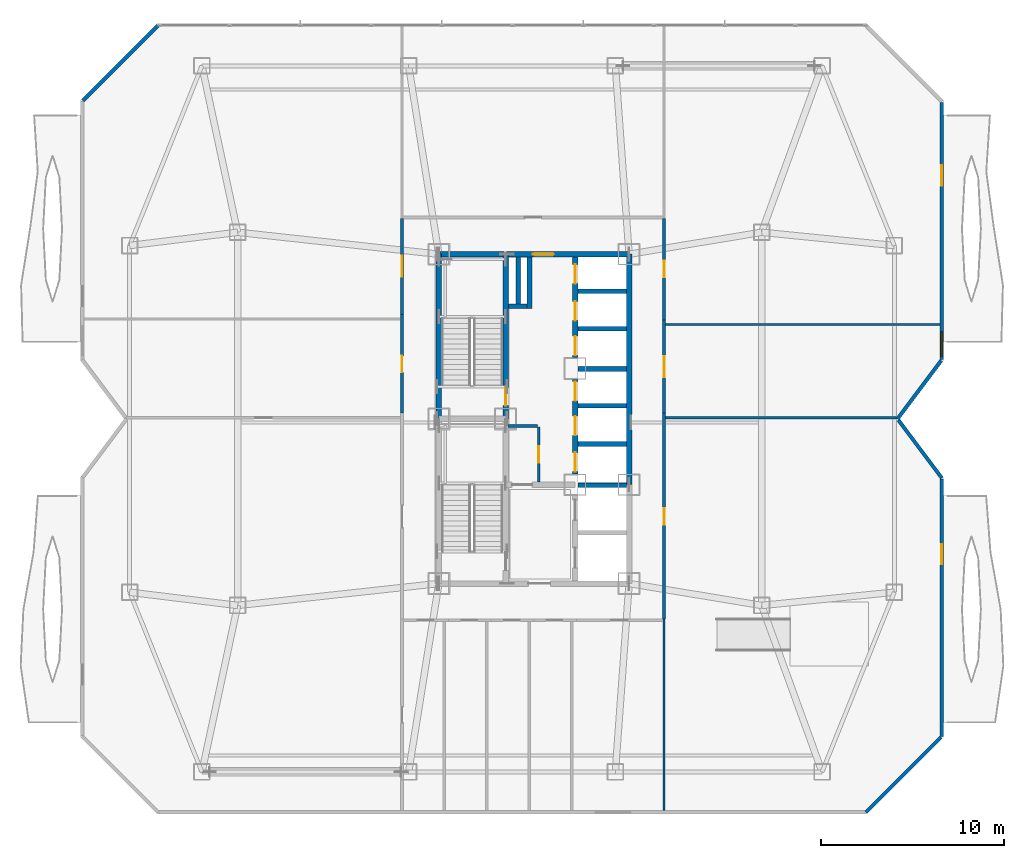
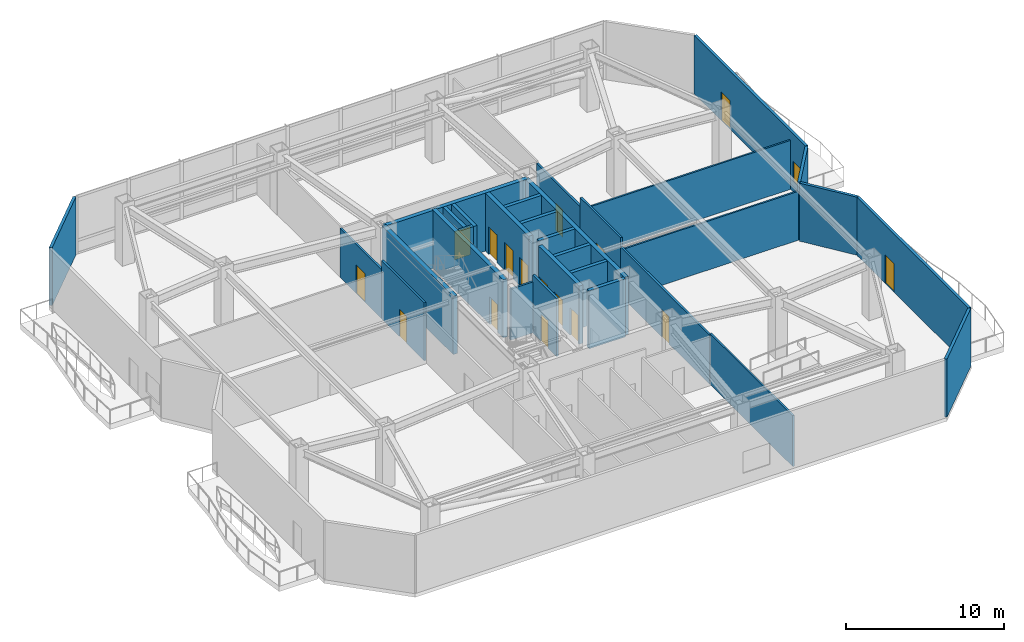
# One storey, part 11 of 16: 31 walls, 16 doors, 1 window, 17 openings.
"""IFC4 building model written with IfcOpenShell, lengths in metres."""

from ifc_helpers import new_model, si_unit, direction, frame, frame_2d, origin, place, context, subcontext, project, spatial, rectangle, extrude, material, layer, layer_set, type_object, element, fill, save


model = new_model("IFC4")

# Units and contexts
model_context = context("Model", 3, precision=1e-05, world=origin(), true_north=direction((0.0, 1.0)))
body_context = subcontext(model_context, "Body", "Model", "MODEL_VIEW")
ifc_project = project(units=[si_unit("LENGTHUNIT", "METRE"), si_unit("AREAUNIT", "SQUARE_METRE"), si_unit("VOLUMEUNIT", "CUBIC_METRE"), si_unit("PLANEANGLEUNIT", "RADIAN"), si_unit("MASSUNIT", "GRAM", prefix="KILO")], contexts=[model_context])

# Site, building, storey
site_placement = place(None, origin())
site = spatial("IfcSite", under=ifc_project, at=site_placement, CompositionType="ELEMENT")
building_placement = place(site_placement, origin())
building = spatial("IfcBuilding", under=site, at=building_placement, Name="Khamvora Tower", CompositionType="ELEMENT")
storey_placement = place(building_placement, frame((0.0, 0.0, 145.699951171875)))
storey = spatial("IfcBuildingStorey", under=building, at=storey_placement, Name="L37", CompositionType="ELEMENT", Elevation=145.699951171875)

# Wall
ifc_material_1 = material(Name="Concrete C50/60", Category="concrete")
ifc_layer_1 = layer(ifc_material_1, 0.300048828125)
ifc_layer_set_1 = layer_set([ifc_layer_1], Name="Concrete C50/60")
wall_type_1 = type_object("IfcWallType", Name="WAL-CORE-300", PredefinedType="SHEAR", material=ifc_layer_set_1)
wall_1_placement = place(storey_placement, frame((29.0, 28.0, 0.0), z_axis=(0.0, 0.0, 1.0), x_axis=(0.0, 1.0, 0.0)))
element("IfcWall", 1, at=wall_1_placement, inside=storey, type_object=wall_type_1, Name="L37 central core west north wall", PredefinedType="SHEAR", context=body_context, shape_type="SweptSolid", body=[
    extrude(rectangle(XDim=9.0, YDim=0.300048828125, at=frame_2d((4.5, 0.0))), origin(), (0.0, 0.0, 1.0), 4.47998046875),
])

# Wall, opening, door
wall_2_placement = place(storey_placement, frame((29.0, 37.0, 0.0), z_axis=(0.0, 0.0, 1.0), x_axis=(1.0, 0.0, 0.0)))
wall_2 = element("IfcWall", 2, at=wall_2_placement, inside=storey, type_object=wall_type_1, Name="L37 central core north wall", PredefinedType="SHEAR", context=body_context, shape_type="SweptSolid", body=[
    extrude(rectangle(XDim=10.39990234375, YDim=0.300048828125, at=frame_2d((5.199951171875, 0.0))), origin(), (0.0, 0.0, 1.0), 4.47998046875),
])
opening_1_placement = place(wall_2_placement, frame((5.139892578125, 0.0, 0.0)))
opening_1 = element("IfcOpeningElement", 3, at=opening_1_placement, cuts=wall_2, Name="Opening D-SC1", PredefinedType="OPENING", context=body_context, shape_type="SweptSolid", body=[
    extrude(rectangle(XDim=1.14990234375, YDim=2.199951171875, at=frame_2d((0.574951171875, 1.10009765625))), frame((0.0, 0.159912109375, 0.0), z_axis=(0.0, -1.0, 0.0), x_axis=(1.0, 0.0, 0.0)), (0.0, 0.0, 1.0), 0.320068359375),
])
ifc_material_2 = material(Name="Powder-Coated Steel and Hardwood Leaf", Category="steel")
door_type_1 = type_object("IfcDoorType", Name="DOR-SCHL-1150", OperationType="NOTDEFINED", PredefinedType="DOOR", material=ifc_material_2)
door_1_placement = place(opening_1_placement, origin())
door_1 = element("IfcDoor", 4, at=door_1_placement, inside=storey, type_object=door_type_1, Name="L37 north core lobby to corridor fire door", OperationType="SINGLE_SWING_LEFT", OverallHeight=2.199951171875, OverallWidth=1.14990234375, PredefinedType="DOOR", context=body_context, shape_type="SweptSolid", body=[
    extrude(rectangle(XDim=1.14990234375, YDim=2.199951171875, at=frame_2d((0.574951171875, 1.10009765625))), frame((0.0, 0.02490234375, 0.0), z_axis=(0.0, -1.0, 0.0), x_axis=(1.0, 0.0, 0.0)), (0.0, 0.0, 1.0), 0.050048828125),
])
fill(opening_1, door_1)

# Wall
wall_3_placement = place(storey_placement, frame((39.39990234375, 24.39990234375, 0.0), z_axis=(0.0, 0.0, 1.0), x_axis=(0.0, 1.0, 0.0)))
element("IfcWall", 5, at=wall_3_placement, inside=storey, type_object=wall_type_1, Name="L37 central core east north wall", PredefinedType="SHEAR", context=body_context, shape_type="SweptSolid", body=[
    extrude(rectangle(XDim=12.60009765625, YDim=0.300048828125, at=frame_2d((6.300048828125, 0.0))), origin(), (0.0, 0.0, 1.0), 4.47998046875),
])

# Wall, opening, door
wall_4_placement = place(storey_placement, frame((32.64990234375, 28.0, 0.0), z_axis=(0.0, 0.0, 1.0), x_axis=(0.0, 1.0, 0.0)))
wall_4 = element("IfcWall", 6, at=wall_4_placement, inside=storey, type_object=wall_type_1, Name="L37 central core stair north spine wall", PredefinedType="SHEAR", context=body_context, shape_type="SweptSolid", body=[
    extrude(rectangle(XDim=9.0, YDim=0.300048828125, at=frame_2d((4.5, 0.0))), origin(), (0.0, 0.0, 1.0), 4.47998046875),
])
opening_2_placement = place(wall_4_placement, frame((0.719970703125, 0.0, 0.0)))
opening_2 = element("IfcOpeningElement", 7, at=opening_2_placement, cuts=wall_4, Name="Opening D-ST1", PredefinedType="OPENING", context=body_context, shape_type="SweptSolid", body=[
    extrude(rectangle(XDim=1.0, YDim=2.14990234375, at=frame_2d((0.5, 1.074951171875))), frame((0.0, 0.159912109375, 0.0), z_axis=(0.0, -1.0, 0.0), x_axis=(1.0, 0.0, 0.0)), (0.0, 0.0, 1.0), 0.320068359375),
])
door_type_2 = type_object("IfcDoorType", Name="DOR-STAIR-1000", OperationType="NOTDEFINED", PredefinedType="DOOR", material=ifc_material_2)
door_2_placement = place(opening_2_placement, origin())
door_2 = element("IfcDoor", 8, at=door_2_placement, inside=storey, type_object=door_type_2, Name="L37 exit stair ST-02 fire door", OperationType="SINGLE_SWING_RIGHT", OverallHeight=2.14990234375, OverallWidth=1.0, PredefinedType="DOOR", context=body_context, shape_type="SweptSolid", body=[
    extrude(rectangle(XDim=1.0, YDim=2.14990234375, at=frame_2d((0.5, 1.074951171875))), frame((0.0, 0.02490234375, 0.0), z_axis=(0.0, -1.0, 0.0), x_axis=(1.0, 0.0, 0.0)), (0.0, 0.0, 1.0), 0.050048828125),
])
fill(opening_2, door_2)

# Wall, openings, doors
wall_5_placement = place(storey_placement, frame((36.449951171875, 25.0, 0.0), z_axis=(0.0, 0.0, 1.0), x_axis=(0.0, 1.0, 0.0)))
wall_5 = element("IfcWall", 9, at=wall_5_placement, inside=storey, type_object=wall_type_1, Name="L37 central core lift bank central wall", PredefinedType="SHEAR", context=body_context, shape_type="SweptSolid", body=[
    extrude(rectangle(XDim=5.14990234375, YDim=0.300048828125, at=frame_2d((2.574951171875, 0.0))), origin(), (0.0, 0.0, 1.0), 4.47998046875),
])
opening_3_placement = place(wall_5_placement, frame((0.1201171875, 0.0, 0.0)))
opening_3 = element("IfcOpeningElement", 10, at=opening_3_placement, cuts=wall_5, Name="Opening LD-PL", PredefinedType="OPENING", context=body_context, shape_type="SweptSolid", body=[
    extrude(rectangle(XDim=1.050048828125, YDim=2.14990234375, at=frame_2d((0.52490234375, 1.074951171875))), frame((0.0, 0.159912109375, 0.0), z_axis=(0.0, -1.0, 0.0), x_axis=(1.0, 0.0, 0.0)), (0.0, 0.0, 1.0), 0.320068359375),
])
opening_4_placement = place(wall_5_placement, frame((2.094970703125, 0.0, 0.0)))
opening_4 = element("IfcOpeningElement", 11, at=opening_4_placement, cuts=wall_5, Name="Opening LD-PL", PredefinedType="OPENING", context=body_context, shape_type="SweptSolid", body=[
    extrude(rectangle(XDim=1.050048828125, YDim=2.14990234375, at=frame_2d((0.52490234375, 1.074951171875))), frame((0.0, 0.159912109375, 0.0), z_axis=(0.0, -1.0, 0.0), x_axis=(1.0, 0.0, 0.0)), (0.0, 0.0, 1.0), 0.320068359375),
])
opening_5_placement = place(wall_5_placement, frame((3.97998046875, 0.0, 0.0)))
opening_5 = element("IfcOpeningElement", 12, at=opening_5_placement, cuts=wall_5, Name="Opening LD-PL", PredefinedType="OPENING", context=body_context, shape_type="SweptSolid", body=[
    extrude(rectangle(XDim=1.050048828125, YDim=2.14990234375, at=frame_2d((0.52490234375, 1.074951171875))), frame((0.0, 0.159912109375, 0.0), z_axis=(0.0, -1.0, 0.0), x_axis=(1.0, 0.0, 0.0)), (0.0, 0.0, 1.0), 0.320068359375),
])
door_type_3 = type_object("IfcDoorType", Name="DOR-LIFT-1050", OperationType="SLIDING_TO_LEFT", PredefinedType="DOOR", material=ifc_material_2)
door_3_placement = place(opening_3_placement, origin())
door_3 = element("IfcDoor", 13, at=door_3_placement, inside=storey, type_object=door_type_3, Name="L37 lift landing sliding door PL-01", OperationType="SLIDING_TO_LEFT", OverallHeight=2.14990234375, OverallWidth=1.050048828125, PredefinedType="DOOR", context=body_context, shape_type="SweptSolid", body=[
    extrude(rectangle(XDim=1.050048828125, YDim=2.14990234375, at=frame_2d((0.52490234375, 1.074951171875))), frame((0.0, 0.02490234375, 0.0), z_axis=(0.0, -1.0, 0.0), x_axis=(1.0, 0.0, 0.0)), (0.0, 0.0, 1.0), 0.050048828125),
])
fill(opening_3, door_3)
door_4_placement = place(opening_4_placement, origin())
door_4 = element("IfcDoor", 14, at=door_4_placement, inside=storey, type_object=door_type_3, Name="L37 lift landing sliding door PL-02", OperationType="SLIDING_TO_LEFT", OverallHeight=2.14990234375, OverallWidth=1.050048828125, PredefinedType="DOOR", context=body_context, shape_type="SweptSolid", body=[
    extrude(rectangle(XDim=1.050048828125, YDim=2.14990234375, at=frame_2d((0.52490234375, 1.074951171875))), frame((0.0, 0.02490234375, 0.0), z_axis=(0.0, -1.0, 0.0), x_axis=(1.0, 0.0, 0.0)), (0.0, 0.0, 1.0), 0.050048828125),
])
fill(opening_4, door_4)
door_5_placement = place(opening_5_placement, origin())
door_5 = element("IfcDoor", 15, at=door_5_placement, inside=storey, type_object=door_type_3, Name="L37 lift landing sliding door PL-03", OperationType="SLIDING_TO_LEFT", OverallHeight=2.14990234375, OverallWidth=1.050048828125, PredefinedType="DOOR", context=body_context, shape_type="SweptSolid", body=[
    extrude(rectangle(XDim=1.050048828125, YDim=2.14990234375, at=frame_2d((0.52490234375, 1.074951171875))), frame((0.0, 0.02490234375, 0.0), z_axis=(0.0, -1.0, 0.0), x_axis=(1.0, 0.0, 0.0)), (0.0, 0.0, 1.0), 0.050048828125),
])
fill(opening_5, door_5)

wall_6_placement = place(storey_placement, frame((36.449951171875, 31.35009765625, 0.0), z_axis=(0.0, 0.0, 1.0), x_axis=(0.0, 1.0, 0.0)))
wall_6 = element("IfcWall", 16, at=wall_6_placement, inside=storey, type_object=wall_type_1, Name="L37 central core lift bank north wall", PredefinedType="SHEAR", context=body_context, shape_type="SweptSolid", body=[
    extrude(rectangle(XDim=5.495849609375, YDim=0.300048828125, at=frame_2d((2.748046875, 0.0))), origin(), (0.0, 0.0, 1.0), 4.47998046875),
])
opening_6_placement = place(wall_6_placement, frame((0.1201171875, 0.0, 0.0)))
opening_6 = element("IfcOpeningElement", 17, at=opening_6_placement, cuts=wall_6, Name="Opening LD-PL", PredefinedType="OPENING", context=body_context, shape_type="SweptSolid", body=[
    extrude(rectangle(XDim=1.050048828125, YDim=2.14990234375, at=frame_2d((0.52490234375, 1.074951171875))), frame((0.0, 0.159912109375, 0.0), z_axis=(0.0, -1.0, 0.0), x_axis=(1.0, 0.0, 0.0)), (0.0, 0.0, 1.0), 0.320068359375),
])
opening_7_placement = place(wall_6_placement, frame((2.02490234375, 0.0, 0.0)))
opening_7 = element("IfcOpeningElement", 18, at=opening_7_placement, cuts=wall_6, Name="Opening LD-PL", PredefinedType="OPENING", context=body_context, shape_type="SweptSolid", body=[
    extrude(rectangle(XDim=1.050048828125, YDim=2.14990234375, at=frame_2d((0.52490234375, 1.074951171875))), frame((0.0, 0.159912109375, 0.0), z_axis=(0.0, -1.0, 0.0), x_axis=(1.0, 0.0, 0.0)), (0.0, 0.0, 1.0), 0.320068359375),
])
opening_8_placement = place(wall_6_placement, frame((4.044921875, 0.0, 0.0)))
opening_8 = element("IfcOpeningElement", 19, at=opening_8_placement, cuts=wall_6, Name="Opening LD-PL", PredefinedType="OPENING", context=body_context, shape_type="SweptSolid", body=[
    extrude(rectangle(XDim=1.050048828125, YDim=2.14990234375, at=frame_2d((0.52490234375, 1.074951171875))), frame((0.0, 0.159912109375, 0.0), z_axis=(0.0, -1.0, 0.0), x_axis=(1.0, 0.0, 0.0)), (0.0, 0.0, 1.0), 0.320068359375),
])
door_6_placement = place(opening_6_placement, origin())
door_6 = element("IfcDoor", 20, at=door_6_placement, inside=storey, type_object=door_type_3, Name="L37 lift landing sliding door PH-01", OperationType="SLIDING_TO_LEFT", OverallHeight=2.14990234375, OverallWidth=1.050048828125, PredefinedType="DOOR", context=body_context, shape_type="SweptSolid", body=[
    extrude(rectangle(XDim=1.050048828125, YDim=2.14990234375, at=frame_2d((0.52490234375, 1.074951171875))), frame((0.0, 0.02490234375, 0.0), z_axis=(0.0, -1.0, 0.0), x_axis=(1.0, 0.0, 0.0)), (0.0, 0.0, 1.0), 0.050048828125),
])
fill(opening_6, door_6)
door_7_placement = place(opening_7_placement, origin())
door_7 = element("IfcDoor", 21, at=door_7_placement, inside=storey, type_object=door_type_3, Name="L37 lift landing sliding door PH-02", OperationType="SLIDING_TO_LEFT", OverallHeight=2.14990234375, OverallWidth=1.050048828125, PredefinedType="DOOR", context=body_context, shape_type="SweptSolid", body=[
    extrude(rectangle(XDim=1.050048828125, YDim=2.14990234375, at=frame_2d((0.52490234375, 1.074951171875))), frame((0.0, 0.02490234375, 0.0), z_axis=(0.0, -1.0, 0.0), x_axis=(1.0, 0.0, 0.0)), (0.0, 0.0, 1.0), 0.050048828125),
])
fill(opening_7, door_7)
door_8_placement = place(opening_8_placement, origin())
door_8 = element("IfcDoor", 22, at=door_8_placement, inside=storey, type_object=door_type_3, Name="L37 lift landing sliding door PH-03", OperationType="SLIDING_TO_LEFT", OverallHeight=2.14990234375, OverallWidth=1.050048828125, PredefinedType="DOOR", context=body_context, shape_type="SweptSolid", body=[
    extrude(rectangle(XDim=1.050048828125, YDim=2.14990234375, at=frame_2d((0.52490234375, 1.074951171875))), frame((0.0, 0.02490234375, 0.0), z_axis=(0.0, -1.0, 0.0), x_axis=(1.0, 0.0, 0.0)), (0.0, 0.0, 1.0), 0.050048828125),
])
fill(opening_8, door_8)

# Wall
ifc_material_3 = material(Name="Fire-Rated Drywall and Steel Stud", Category="steel")
ifc_layer_2 = layer(ifc_material_3, 0.14990234375)
ifc_layer_set_2 = layer_set([ifc_layer_2], Name="Fire-Rated Drywall and Steel Stud")
wall_type_2 = type_object("IfcWallType", Name="WAL-CORR-150", PredefinedType="STANDARD", material=ifc_layer_set_2)
wall_7_placement = place(storey_placement, frame((32.7939453125, 27.614990234375, 0.0), z_axis=(0.0, 0.0, 1.0), x_axis=(1.0, 0.0, 0.0)))
element("IfcWall", 23, at=wall_7_placement, inside=storey, type_object=wall_type_2, Name="L37 interior partition wall 001", PredefinedType="STANDARD", context=body_context, shape_type="SweptSolid", body=[
    extrude(rectangle(XDim=1.60595703125, YDim=0.14990234375, at=frame_2d((0.802978515625, 0.0))), origin(), (0.0, 0.0, 1.0), 3.93701171875),
])

# Wall, opening, door
wall_8_placement = place(storey_placement, frame((34.465087890625, 27.550048828125, 0.0), z_axis=(0.0, 0.0, 1.0), x_axis=(0.0, -1.0, 0.0)))
wall_8 = element("IfcWall", 24, at=wall_8_placement, inside=storey, type_object=wall_type_2, Name="L37 interior partition wall 002", PredefinedType="STANDARD", context=body_context, shape_type="SweptSolid", body=[
    extrude(rectangle(XDim=3.006103515625, YDim=0.14990234375, at=frame_2d((1.5029296875, 0.0))), origin(), (0.0, 0.0, 1.0), 4.47998046875),
])
opening_9_placement = place(wall_8_placement, frame((1.052978515625, 0.0, 0.0)))
opening_9 = element("IfcOpeningElement", 25, at=opening_9_placement, cuts=wall_8, Name="Opening D-RM1", PredefinedType="OPENING", context=body_context, shape_type="SweptSolid", body=[
    extrude(rectangle(XDim=0.89990234375, YDim=2.10009765625, at=frame_2d((0.449951171875, 1.050048828125))), frame((0.0, 0.0849609375, 0.0), z_axis=(0.0, -1.0, 0.0), x_axis=(1.0, 0.0, 0.0)), (0.0, 0.0, 1.0), 0.169921875),
])
door_type_4 = type_object("IfcDoorType", Name="DOR-ROOM-900", OperationType="NOTDEFINED", PredefinedType="DOOR", material=ifc_material_2)
door_9_placement = place(opening_9_placement, origin())
door_9 = element("IfcDoor", 26, at=door_9_placement, inside=storey, type_object=door_type_4, Name="L37 interior door CS1-PLL", OperationType="SINGLE_SWING_RIGHT", OverallHeight=2.10009765625, OverallWidth=0.89990234375, PredefinedType="DOOR", context=body_context, shape_type="SweptSolid", body=[
    extrude(rectangle(XDim=0.89990234375, YDim=2.10009765625, at=frame_2d((0.449951171875, 1.050048828125))), frame((0.0, 0.02490234375, 0.0), z_axis=(0.0, -1.0, 0.0), x_axis=(1.0, 0.0, 0.0)), (0.0, 0.0, 1.0), 0.050048828125),
])
fill(opening_9, door_9)

wall_9_placement = place(storey_placement, frame((41.31494140625, 28.31396484375, 0.0), z_axis=(0.0, 0.0, 1.0), x_axis=(0.0, -1.0, 0.0)))
wall_9 = element("IfcWall", 27, at=wall_9_placement, inside=storey, type_object=wall_type_2, Name="L37 interior partition wall 003", PredefinedType="STANDARD", context=body_context, shape_type="SweptSolid", body=[
    extrude(rectangle(XDim=11.263916015625, YDim=0.14990234375, at=frame_2d((5.6318359375, 0.0))), origin(), (0.0, 0.0, 1.0), 3.775146484375),
])
opening_10_placement = place(wall_9_placement, frame((5.202880859375, 0.0, 0.0)))
opening_10 = element("IfcOpeningElement", 28, at=opening_10_placement, cuts=wall_9, Name="Opening D-RM1", PredefinedType="OPENING", context=body_context, shape_type="SweptSolid", body=[
    extrude(rectangle(XDim=0.89990234375, YDim=2.10009765625, at=frame_2d((0.449951171875, 1.050048828125))), frame((0.0, 0.0849609375, 0.0), z_axis=(0.0, -1.0, 0.0), x_axis=(1.0, 0.0, 0.0)), (0.0, 0.0, 1.0), 0.169921875),
])
door_10_placement = place(opening_10_placement, origin())
door_10 = element("IfcDoor", 29, at=door_10_placement, inside=storey, type_object=door_type_4, Name="L37 interior door ACOR-BOTL", OperationType="SINGLE_SWING_LEFT", OverallHeight=2.10009765625, OverallWidth=0.89990234375, PredefinedType="DOOR", context=body_context, shape_type="SweptSolid", body=[
    extrude(rectangle(XDim=0.89990234375, YDim=2.10009765625, at=frame_2d((0.449951171875, 1.050048828125))), frame((0.0, 0.02490234375, 0.0), z_axis=(0.0, -1.0, 0.0), x_axis=(1.0, 0.0, 0.0)), (0.0, 0.0, 1.0), 0.050048828125),
])
fill(opening_10, door_10)

wall_10_placement = place(storey_placement, frame((26.985107421875, 28.31396484375, 0.0), z_axis=(0.0, 0.0, 1.0), x_axis=(0.0, 1.0, 0.0)))
wall_10 = element("IfcWall", 30, at=wall_10_placement, inside=storey, type_object=wall_type_2, Name="L37 interior partition wall 005", PredefinedType="STANDARD", context=body_context, shape_type="SweptSolid", body=[
    extrude(rectangle(XDim=5.400146484375, YDim=0.14990234375, at=frame_2d((2.7001953125, 0.0))), origin(), (0.0, 0.0, 1.0), 4.47998046875),
])
opening_11_placement = place(wall_10_placement, frame((2.22900390625, 0.0, 0.0)))
opening_11 = element("IfcOpeningElement", 31, at=opening_11_placement, cuts=wall_10, Name="Opening D-RM1", PredefinedType="OPENING", context=body_context, shape_type="SweptSolid", body=[
    extrude(rectangle(XDim=0.89990234375, YDim=2.10009765625, at=frame_2d((0.449951171875, 1.050048828125))), frame((0.0, 0.0849609375, 0.0), z_axis=(0.0, -1.0, 0.0), x_axis=(1.0, 0.0, 0.0)), (0.0, 0.0, 1.0), 0.169921875),
])
door_11_placement = place(opening_11_placement, origin())
door_11 = element("IfcDoor", 32, at=door_11_placement, inside=storey, type_object=door_type_4, Name="L37 interior door ACOR-MEET", OperationType="SINGLE_SWING_LEFT", OverallHeight=2.10009765625, OverallWidth=0.89990234375, PredefinedType="DOOR", context=body_context, shape_type="SweptSolid", body=[
    extrude(rectangle(XDim=0.89990234375, YDim=2.10009765625, at=frame_2d((0.449951171875, 1.050048828125))), frame((0.0, 0.02490234375, 0.0), z_axis=(0.0, -1.0, 0.0), x_axis=(1.0, 0.0, 0.0)), (0.0, 0.0, 1.0), 0.050048828125),
])
fill(opening_11, door_11)

wall_11_placement = place(storey_placement, frame((26.985107421875, 33.714111328125, 0.0), z_axis=(0.0, 0.0, 1.0), x_axis=(0.0, 1.0, 0.0)))
wall_11 = element("IfcWall", 33, at=wall_11_placement, inside=storey, type_object=wall_type_2, Name="L37 interior partition wall 006", PredefinedType="STANDARD", context=body_context, shape_type="SweptSolid", body=[
    extrude(rectangle(XDim=5.23583984375, YDim=0.14990234375, at=frame_2d((2.617919921875, 0.0))), origin(), (0.0, 0.0, 1.0), 3.775146484375),
])
opening_12_placement = place(wall_11_placement, frame((2.04296875, 0.0, 0.0)))
opening_12 = element("IfcOpeningElement", 34, at=opening_12_placement, cuts=wall_11, Name="Opening D-SC1", PredefinedType="OPENING", context=body_context, shape_type="SweptSolid", body=[
    extrude(rectangle(XDim=1.14990234375, YDim=2.199951171875, at=frame_2d((0.574951171875, 1.10009765625))), frame((0.0, 0.0849609375, 0.0), z_axis=(0.0, -1.0, 0.0), x_axis=(1.0, 0.0, 0.0)), (0.0, 0.0, 1.0), 0.169921875),
])
door_12_placement = place(opening_12_placement, origin())
door_12 = element("IfcDoor", 35, at=door_12_placement, inside=storey, type_object=door_type_1, Name="L37 interior door ACOR-SLIB", OperationType="SINGLE_SWING_RIGHT", OverallHeight=2.199951171875, OverallWidth=1.14990234375, PredefinedType="DOOR", context=body_context, shape_type="SweptSolid", body=[
    extrude(rectangle(XDim=1.14990234375, YDim=2.199951171875, at=frame_2d((0.574951171875, 1.10009765625))), frame((0.0, 0.02490234375, 0.0), z_axis=(0.0, -1.0, 0.0), x_axis=(1.0, 0.0, 0.0)), (0.0, 0.0, 1.0), 0.050048828125),
])
fill(opening_12, door_12)

wall_12_placement = place(storey_placement, frame((41.31494140625, 33.4140625, 0.0), z_axis=(0.0, 0.0, 1.0), x_axis=(0.0, -1.0, 0.0)))
wall_12 = element("IfcWall", 36, at=wall_12_placement, inside=storey, type_object=wall_type_2, Name="L37 interior partition wall 007", PredefinedType="STANDARD", context=body_context, shape_type="SweptSolid", body=[
    extrude(rectangle(XDim=5.10009765625, YDim=0.14990234375, at=frame_2d((2.550048828125, 0.0))), origin(), (0.0, 0.0, 1.0), 4.47998046875),
])
opening_13_placement = place(wall_12_placement, frame((1.99609375, 0.0, 0.0)))
opening_13 = element("IfcOpeningElement", 37, at=opening_13_placement, cuts=wall_12, Name="Opening D-SC1", PredefinedType="OPENING", context=body_context, shape_type="SweptSolid", body=[
    extrude(rectangle(XDim=1.14990234375, YDim=2.199951171875, at=frame_2d((0.574951171875, 1.10009765625))), frame((0.0, 0.0849609375, 0.0), z_axis=(0.0, -1.0, 0.0), x_axis=(1.0, 0.0, 0.0)), (0.0, 0.0, 1.0), 0.169921875),
])
door_13_placement = place(opening_13_placement, origin())
door_13 = element("IfcDoor", 38, at=door_13_placement, inside=storey, type_object=door_type_1, Name="L37 interior door ACOR-CAFE", OperationType="SINGLE_SWING_LEFT", OverallHeight=2.199951171875, OverallWidth=1.14990234375, PredefinedType="DOOR", context=body_context, shape_type="SweptSolid", body=[
    extrude(rectangle(XDim=1.14990234375, YDim=2.199951171875, at=frame_2d((0.574951171875, 1.10009765625))), frame((0.0, 0.02490234375, 0.0), z_axis=(0.0, -1.0, 0.0), x_axis=(1.0, 0.0, 0.0)), (0.0, 0.0, 1.0), 0.050048828125),
])
fill(opening_13, door_13)

wall_13_placement = place(storey_placement, frame((41.31494140625, 38.949951171875, 0.0), z_axis=(0.0, 0.0, 1.0), x_axis=(0.0, -1.0, 0.0)))
wall_13 = element("IfcWall", 39, at=wall_13_placement, inside=storey, type_object=wall_type_2, Name="L37 interior partition wall 008", PredefinedType="STANDARD", context=body_context, shape_type="SweptSolid", body=[
    extrude(rectangle(XDim=5.535888671875, YDim=0.14990234375, at=frame_2d((2.76806640625, 0.0))), origin(), (0.0, 0.0, 1.0), 3.775146484375),
])
opening_14_placement = place(wall_13_placement, frame((2.318115234375, 0.0, 0.0)))
opening_14 = element("IfcOpeningElement", 40, at=opening_14_placement, cuts=wall_13, Name="Opening D-RM1", PredefinedType="OPENING", context=body_context, shape_type="SweptSolid", body=[
    extrude(rectangle(XDim=0.89990234375, YDim=2.10009765625, at=frame_2d((0.449951171875, 1.050048828125))), frame((0.0, 0.0849609375, 0.0), z_axis=(0.0, -1.0, 0.0), x_axis=(1.0, 0.0, 0.0)), (0.0, 0.0, 1.0), 0.169921875),
])
door_14_placement = place(opening_14_placement, origin())
door_14 = element("IfcDoor", 41, at=door_14_placement, inside=storey, type_object=door_type_4, Name="L37 interior door ACOR-BOTN", OperationType="SINGLE_SWING_RIGHT", OverallHeight=2.10009765625, OverallWidth=0.89990234375, PredefinedType="DOOR", context=body_context, shape_type="SweptSolid", body=[
    extrude(rectangle(XDim=0.89990234375, YDim=2.10009765625, at=frame_2d((0.449951171875, 1.050048828125))), frame((0.0, 0.02490234375, 0.0), z_axis=(0.0, -1.0, 0.0), x_axis=(1.0, 0.0, 0.0)), (0.0, 0.0, 1.0), 0.050048828125),
])
fill(opening_14, door_14)

# Wall
ifc_material_4 = material(Name="Precast concrete C40/50", Category="concrete")
ifc_layer_3 = layer(ifc_material_4, 0.199951171875)
ifc_layer_set_3 = layer_set([ifc_layer_3], Name="Precast concrete C40/50")
wall_type_3 = type_object("IfcWallType", Name="WAL-EXT-200", PredefinedType="STANDARD", material=ifc_layer_set_3)
wall_14_placement = place(storey_placement, frame((9.5439453125, 45.403076171875, 0.0), z_axis=(0.0, 0.0, 1.0), x_axis=(0.707127848917, 0.707085712828, 0.0)))
element("IfcWall", 42, at=wall_14_placement, inside=storey, type_object=wall_type_3, Name="L37 exterior facade wall 06.1", PredefinedType="STANDARD", context=body_context, shape_type="SweptSolid", body=[
    extrude(rectangle(XDim=5.794189453125, YDim=0.199951171875, at=frame_2d((2.89697265625, 0.0))), origin(), (0.0, 0.0, 1.0), 4.47998046875),
])

# Wall, openings, door, window
wall_15_placement = place(storey_placement, frame((56.5, 45.2958984375, 0.0), z_axis=(0.0, 0.0, 1.0), x_axis=(0.0, -1.0, 0.0)))
wall_15 = element("IfcWall", 43, at=wall_15_placement, inside=storey, type_object=wall_type_3, Name="L37 exterior facade wall 09.1", PredefinedType="STANDARD", context=body_context, shape_type="SweptSolid", body=[
    extrude(rectangle(XDim=14.06298828125, YDim=0.199951171875, at=frame_2d((7.031494140625, 0.0))), origin(), (0.0, 0.0, 1.0), 4.47998046875),
])
opening_15_placement = place(wall_15_placement, frame((3.443115234375, 0.0, 0.0)))
opening_15 = element("IfcOpeningElement", 44, at=opening_15_placement, cuts=wall_15, Name="Opening BD-01", PredefinedType="OPENING", context=body_context, shape_type="SweptSolid", body=[
    extrude(rectangle(XDim=1.10009765625, YDim=2.199951171875, at=frame_2d((0.550048828125, 1.10009765625))), frame((0.0, 0.10986328125, 0.0), z_axis=(0.0, -1.0, 0.0), x_axis=(1.0, 0.0, 0.0)), (0.0, 0.0, 1.0), 0.219970703125),
])
opening_16_placement = place(wall_15_placement, frame((12.530029296875, 0.0, 0.85009765625)))
opening_16 = element("IfcOpeningElement", 45, at=opening_16_placement, cuts=wall_15, Name="Opening WN-07", PredefinedType="OPENING", context=body_context, shape_type="SweptSolid", body=[
    extrude(rectangle(XDim=1.35009765625, YDim=1.5, at=frame_2d((0.675048828125, 0.75))), frame((0.0, 0.10986328125, 0.0), z_axis=(0.0, -1.0, 0.0), x_axis=(1.0, 0.0, 0.0)), (0.0, 0.0, 1.0), 0.219970703125),
])
ifc_material_5 = material(Name="Anodised Aluminium and Laminated Safety Glass", Category="aluminium")
door_type_5 = type_object("IfcDoorType", Name="DOR-BAL-1100", OperationType="NOTDEFINED", PredefinedType="DOOR", material=ifc_material_5)
door_15_placement = place(opening_15_placement, origin())
door_15 = element("IfcDoor", 46, at=door_15_placement, inside=storey, type_object=door_type_5, Name="L37 lens gallery balcony door EL2", OperationType="SLIDING_TO_LEFT", OverallHeight=2.199951171875, OverallWidth=1.10009765625, PredefinedType="DOOR", context=body_context, shape_type="SweptSolid", body=[
    extrude(rectangle(XDim=1.10009765625, YDim=2.199951171875, at=frame_2d((0.550048828125, 1.10009765625))), frame((0.0, 0.02490234375, 0.0), z_axis=(0.0, -1.0, 0.0), x_axis=(1.0, 0.0, 0.0)), (0.0, 0.0, 1.0), 0.050048828125),
])
fill(opening_15, door_15)
ifc_material_6 = material(Name="Low-E Laminated Double Glazing", Category="glass")
window_type = type_object("IfcWindowType", Name="WIN-VIS-1350x1500", PartitioningType="SINGLE_PANEL", PredefinedType="WINDOW", material=ifc_material_6)
window_placement = place(opening_16_placement, origin())
window = element("IfcWindow", 47, at=window_placement, inside=storey, type_object=window_type, Name="L37 vision window 09.1.01", OverallHeight=1.5, OverallWidth=1.35009765625, PartitioningType="SINGLE_PANEL", PredefinedType="WINDOW", context=body_context, shape_type="SweptSolid", body=[
    extrude(rectangle(XDim=1.35009765625, YDim=1.5, at=frame_2d((0.675048828125, 0.75))), frame((0.0, 0.030029296875, 0.0), z_axis=(0.0, -1.0, 0.0), x_axis=(1.0, 0.0, 0.0)), (0.0, 0.0, 1.0), 0.06005859375),
])
fill(opening_16, window)

# Walls
wall_16_placement = place(storey_placement, frame((56.468994140625, 31.19091796875, 0.0), z_axis=(0.0, 0.0, 1.0), x_axis=(-0.600137081448, -0.799897170561, 0.0)))
element("IfcWall", 48, at=wall_16_placement, inside=storey, type_object=wall_type_3, Name="L37 exterior facade wall 10.1", PredefinedType="STANDARD", context=body_context, shape_type="SweptSolid", body=[
    extrude(rectangle(XDim=3.9892578125, YDim=0.199951171875, at=frame_2d((1.99462890625, 0.0))), origin(), (0.0, 0.0, 1.0), 4.47998046875),
])
wall_17_placement = place(storey_placement, frame((54.126953125, 27.930908203125, 0.0), z_axis=(0.0, 0.0, 1.0), x_axis=(0.600029630681, -0.799977776132, 0.0)))
element("IfcWall", 49, at=wall_17_placement, inside=storey, type_object=wall_type_3, Name="L37 exterior facade wall 11.1", PredefinedType="STANDARD", context=body_context, shape_type="SweptSolid", body=[
    extrude(rectangle(XDim=3.954833984375, YDim=0.199951171875, at=frame_2d((1.9775390625, 0.0))), origin(), (0.0, 0.0, 1.0), 4.47998046875),
])

# Wall, opening, door
wall_18_placement = place(storey_placement, frame((56.5, 24.717041015625, 0.0), z_axis=(0.0, 0.0, 1.0), x_axis=(0.0, -1.0, 0.0)))
wall_18 = element("IfcWall", 50, at=wall_18_placement, inside=storey, type_object=wall_type_3, Name="L37 exterior facade wall 12.1", PredefinedType="STANDARD", context=body_context, shape_type="SweptSolid", body=[
    extrude(rectangle(XDim=14.075927734375, YDim=0.199951171875, at=frame_2d((7.0380859375, 0.0))), origin(), (0.0, 0.0, 1.0), 4.47998046875),
])
opening_17_placement = place(wall_18_placement, frame((3.56494140625, 0.0, 0.0)))
opening_17 = element("IfcOpeningElement", 51, at=opening_17_placement, cuts=wall_18, Name="Opening BD-01", PredefinedType="OPENING", context=body_context, shape_type="SweptSolid", body=[
    extrude(rectangle(XDim=1.10009765625, YDim=2.199951171875, at=frame_2d((0.550048828125, 1.10009765625))), frame((0.0, 0.10986328125, 0.0), z_axis=(0.0, -1.0, 0.0), x_axis=(1.0, 0.0, 0.0)), (0.0, 0.0, 1.0), 0.219970703125),
])
door_16_placement = place(opening_17_placement, origin())
door_16 = element("IfcDoor", 52, at=door_16_placement, inside=storey, type_object=door_type_5, Name="L37 lens gallery balcony door EL1", OperationType="SLIDING_TO_LEFT", OverallHeight=2.199951171875, OverallWidth=1.10009765625, PredefinedType="DOOR", context=body_context, shape_type="SweptSolid", body=[
    extrude(rectangle(XDim=1.10009765625, YDim=2.199951171875, at=frame_2d((0.550048828125, 1.10009765625))), frame((0.0, 0.02490234375, 0.0), z_axis=(0.0, -1.0, 0.0), x_axis=(1.0, 0.0, 0.0)), (0.0, 0.0, 1.0), 0.050048828125),
])
fill(opening_17, door_16)

# Walls
wall_19_placement = place(storey_placement, frame((56.45703125, 10.597900390625, 0.0), z_axis=(0.0, 0.0, 1.0), x_axis=(-0.707127843897, -0.707085717849, 0.0)))
element("IfcWall", 53, at=wall_19_placement, inside=storey, type_object=wall_type_3, Name="L37 exterior facade wall 13.1", PredefinedType="STANDARD", context=body_context, shape_type="SweptSolid", body=[
    extrude(rectangle(XDim=5.79541015625, YDim=0.199951171875, at=frame_2d((2.897705078125, 0.0))), origin(), (0.0, 0.0, 1.0), 4.47998046875),
])
ifc_material_7 = material(Name="Gypsum Plasterboard Partition", Category="gypsum")
ifc_layer_4 = layer(ifc_material_7, 0.1201171875)
ifc_layer_set_4 = layer_set([ifc_layer_4], Name="Gypsum Plasterboard Partition")
wall_type_4 = type_object("IfcWallType", Name="WAL-PART-120", PredefinedType="PARTITIONING", material=ifc_layer_set_4)
wall_20_placement = place(storey_placement, frame((41.3798828125, 28.06494140625, 0.0), z_axis=(0.0, 0.0, 1.0), x_axis=(1.0, 0.0, 0.0)))
element("IfcWall", 54, at=wall_20_placement, inside=storey, type_object=wall_type_4, Name="L37 interior partition wall 015", PredefinedType="PARTITIONING", context=body_context, shape_type="SweptSolid", body=[
    extrude(rectangle(XDim=12.64501953125, YDim=0.1201171875, at=frame_2d((6.322509765625, 0.0))), origin(), (0.0, 0.0, 1.0), 3.775146484375),
])
wall_21_placement = place(storey_placement, frame((41.31494140625, 6.592041015625, 0.0), z_axis=(0.0, 0.0, 1.0), x_axis=(0.0, 1.0, 0.0)))
element("IfcWall", 55, at=wall_21_placement, inside=storey, type_object=wall_type_4, Name="L37 interior partition wall 016", PredefinedType="PARTITIONING", context=body_context, shape_type="SweptSolid", body=[
    extrude(rectangle(XDim=10.4580078125, YDim=0.1201171875, at=frame_2d((5.22900390625, 0.0))), origin(), (0.0, 0.0, 1.0), 3.926025390625),
])
wall_22_placement = place(storey_placement, frame((41.3798828125, 33.1650390625, 0.0), z_axis=(0.0, 0.0, 1.0), x_axis=(1.0, 0.0, 0.0)))
element("IfcWall", 56, at=wall_22_placement, inside=storey, type_object=wall_type_4, Name="L37 interior partition wall 021", PredefinedType="PARTITIONING", context=body_context, shape_type="SweptSolid", body=[
    extrude(rectangle(XDim=15.028076171875, YDim=0.1201171875, at=frame_2d((7.51416015625, 0.0))), origin(), (0.0, 0.0, 1.0), 3.775146484375),
])
ifc_material_8 = material(Name="Concrete C40/50", Category="concrete")
ifc_layer_5 = layer(ifc_material_8, 0.25)
ifc_layer_set_5 = layer_set([ifc_layer_5], Name="Concrete C40/50")
wall_type_5 = type_object("IfcWallType", Name="WAL-PODS-250", PredefinedType="SHEAR", material=ifc_layer_set_5)
for number, where, z_axis, x_axis, name in (
    (57, (36.60400390625, 24.375, 0.0), (0.0, 0.0, 1.0), (1.0, 0.0, 0.0), "L37 lift shaft divider wall FFL-02"),
    (58, (36.60400390625, 26.625, 0.0), (0.0, 0.0, 1.0), (1.0, 0.0, 0.0), "L37 lift shaft divider wall PL-01"),
    (59, (36.60400390625, 28.72509765625, 0.0), (0.0, 0.0, 1.0), (1.0, 0.0, 0.0), "L37 lift shaft divider wall PL-02"),
    (60, (36.60400390625, 30.72509765625, 0.0), (0.0, 0.0, 1.0), (1.0, 0.0, 0.0), "L37 lift shaft divider wall PL-03"),
    (61, (36.60400390625, 32.925048828125, 0.0), (0.0, 0.0, 1.0), (1.0, 0.0, 0.0), "L37 lift shaft divider wall PH-01"),
    (62, (36.60400390625, 34.97509765625, 0.0), (0.0, 0.0, 1.0), (1.0, 0.0, 0.0), "L37 lift shaft divider wall PH-02"),
):
    element("IfcWall", number, at=place(storey_placement, frame(where, z_axis=z_axis, x_axis=x_axis)), inside=storey, type_object=wall_type_5, Name=name, PredefinedType="SHEAR", context=body_context, shape_type="SweptSolid", body=[
        extrude(rectangle(XDim=2.64208984375, YDim=0.25, at=frame_2d((1.321044921875, 0.0))), origin(), (0.0, 0.0, 1.0), 4.47998046875),
    ])
wall_23_placement = place(storey_placement, frame((33.955078125, 34.02490234375, 0.0), z_axis=(0.0, 0.0, 1.0), x_axis=(0.0, 1.0, 0.0)))
element("IfcWall", 63, at=wall_23_placement, inside=storey, type_object=wall_type_5, Name="L37 vertical MEP riser shaft east enclosure wall", PredefinedType="SHEAR", context=body_context, shape_type="SweptSolid", body=[
    extrude(rectangle(XDim=2.821044921875, YDim=0.25, at=frame_2d((1.41064453125, 0.0))), origin(), (0.0, 0.0, 1.0), 4.47998046875),
])
wall_24_placement = place(storey_placement, frame((32.803955078125, 34.14990234375, 0.0), z_axis=(0.0, 0.0, 1.0), x_axis=(1.0, 0.0, 0.0)))
element("IfcWall", 64, at=wall_24_placement, inside=storey, type_object=wall_type_5, Name="L37 vertical MEP riser shaft south enclosure wall", PredefinedType="SHEAR", context=body_context, shape_type="SweptSolid", body=[
    extrude(rectangle(XDim=1.02197265625, YDim=0.25, at=frame_2d((0.510986328125, 0.0))), origin(), (0.0, 0.0, 1.0), 4.47998046875),
])
wall_25_placement = place(storey_placement, frame((33.340087890625, 34.279052734375, 0.0), z_axis=(0.0, 0.0, 1.0), x_axis=(0.0, 1.0, 0.0)))
element("IfcWall", 65, at=wall_25_placement, inside=storey, type_object=wall_type_5, Name="L37 vertical MEP riser shaft divider enclosure wall", PredefinedType="SHEAR", context=body_context, shape_type="SweptSolid", body=[
    extrude(rectangle(XDim=2.56689453125, YDim=0.25, at=frame_2d((1.283447265625, 0.0))), origin(), (0.0, 0.0, 1.0), 4.47998046875),
])

save(model, "model.ifc")
